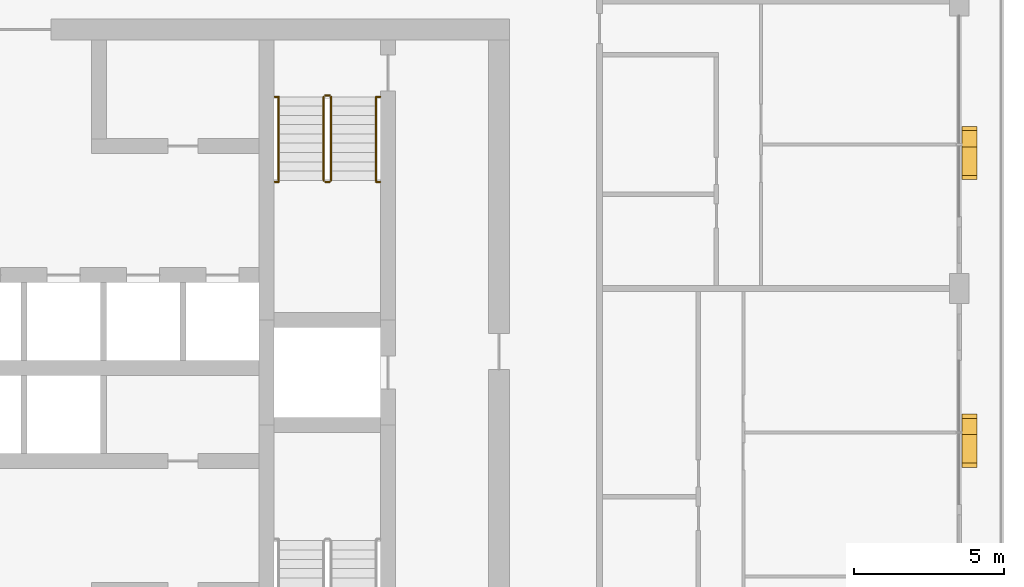
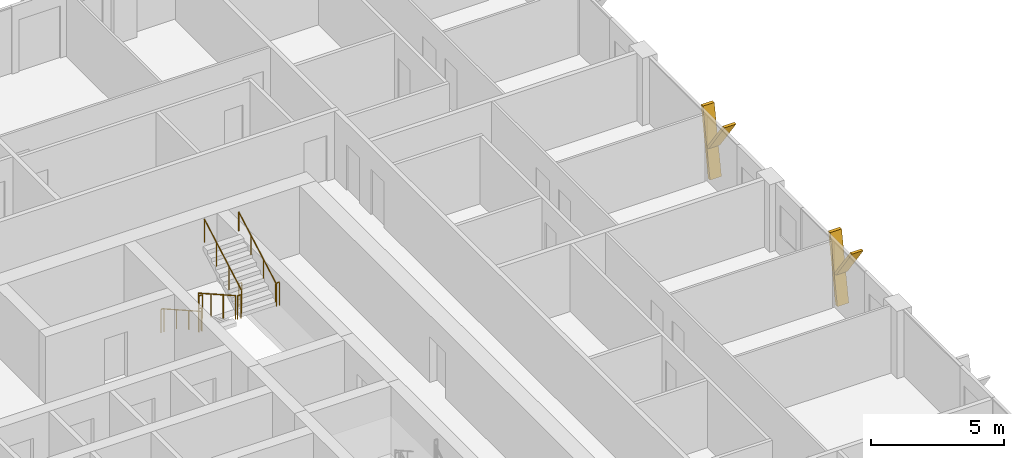
# One storey, part 21 of 22: 10 railings, 4 shading devices.
"""IFC4 building model written with IfcOpenShell, lengths in metres."""

from ifc_helpers import new_model, si_unit, direction, frame, origin, origin_2d, place, context, subcontext, project, spatial, polyline, circle, outline, extrude, material, type_object, element, save


model = new_model("IFC4")

# Units and contexts
model_context = context("Model", 3, precision=1e-05, world=origin(), true_north=direction((0.0, 1.0)))
body_context = subcontext(model_context, "Body", "Model", "MODEL_VIEW")
ifc_project = project(units=[si_unit("LENGTHUNIT", "METRE"), si_unit("AREAUNIT", "SQUARE_METRE"), si_unit("VOLUMEUNIT", "CUBIC_METRE"), si_unit("PLANEANGLEUNIT", "RADIAN"), si_unit("MASSUNIT", "GRAM", prefix="KILO")], contexts=[model_context])

# Site, building, storey
site_placement = place(None, origin())
site = spatial("IfcSite", under=ifc_project, at=site_placement, CompositionType="ELEMENT")
building_placement = place(site_placement, origin())
building = spatial("IfcBuilding", under=site, at=building_placement, Name="Madar Terraces", CompositionType="ELEMENT")
storey_placement = place(building_placement, frame((0.0, 0.0, 229.800048828125)))
storey = spatial("IfcBuildingStorey", under=building, at=storey_placement, Name="L60", CompositionType="ELEMENT", Elevation=229.800048828125)

# Shading devices
ifc_material_1 = material(Name="Aluminium, black anodised", Category="aluminium")
shading_device_type = type_object("IfcShadingDeviceType", Name="Facade fin blade 140 x 500", PredefinedType="USERDEFINED", material=ifc_material_1)
shading_device_1_placement = place(storey_placement, frame((62.75, 23.929931640625, 0.0), z_axis=(0.0, 0.0, 1.0), x_axis=(0.0, 1.0, 0.0)))
element("IfcShadingDevice", 1, at=shading_device_1_placement, inside=storey, type_object=shading_device_type, Name="FIN L60 E2", ObjectType="FIN", PredefinedType="USERDEFINED", context=body_context, shape_type="SweptSolid", body=[
    extrude(outline(polyline([(0.0, 0.0), (0.14013671875, 0.0), (0.68310546875, 3.079833984375), (0.54296875, 3.079833984375), (0.0, 0.0)])), frame((0.0, 0.25, 0.0), z_axis=(0.0, -1.0, 0.0), x_axis=(1.0, 0.0, 0.0)), (0.0, 0.0, 1.0), 0.5),
])
shading_device_2_placement = place(storey_placement, frame((62.75, 24.034423828125, 1.385986328125), z_axis=(0.0, 0.0, 1.0), x_axis=(0.0, 1.0, 0.0)))
element("IfcShadingDevice", 2, at=shading_device_2_placement, inside=storey, type_object=shading_device_type, Name="FIN L60 E2 branch", ObjectType="FIN", PredefinedType="USERDEFINED", context=body_context, shape_type="SweptSolid", body=[
    extrude(outline(polyline([(0.0, 0.0), (0.139892578125, 0.0), (-1.061279296875, 1.69384765625), (-1.201416015625, 1.69384765625), (0.0, 0.0)])), frame((0.0, 0.25, 0.0), z_axis=(0.0, -1.0, 0.0), x_axis=(1.0, 0.0, 0.0)), (0.0, 0.0, 1.0), 0.5),
])
shading_device_3_placement = place(storey_placement, frame((62.75, 33.530029296875, 0.0), z_axis=(0.0, 0.0, 1.0), x_axis=(0.0, 1.0, 0.0)))
element("IfcShadingDevice", 3, at=shading_device_3_placement, inside=storey, type_object=shading_device_type, Name="FIN L60 E3", ObjectType="FIN", PredefinedType="USERDEFINED", context=body_context, shape_type="SweptSolid", body=[
    extrude(outline(polyline([(0.0, 0.0), (0.139892578125, 0.0), (0.68310546875, 3.079833984375), (0.54296875, 3.079833984375), (0.0, 0.0)])), frame((0.0, 0.25, 0.0), z_axis=(0.0, -1.0, 0.0), x_axis=(1.0, 0.0, 0.0)), (0.0, 0.0, 1.0), 0.5),
])
shading_device_4_placement = place(storey_placement, frame((62.75, 33.63427734375, 1.385986328125), z_axis=(0.0, 0.0, 1.0), x_axis=(0.0, 1.0, 0.0)))
element("IfcShadingDevice", 4, at=shading_device_4_placement, inside=storey, type_object=shading_device_type, Name="FIN L60 E3 branch", ObjectType="FIN", PredefinedType="USERDEFINED", context=body_context, shape_type="SweptSolid", body=[
    extrude(outline(polyline([(0.0, 0.0), (0.14013671875, 0.0), (-1.061279296875, 1.69384765625), (-1.201416015625, 1.69384765625), (0.0, 0.0)])), frame((0.0, 0.25, 0.0), z_axis=(0.0, -1.0, 0.0), x_axis=(1.0, 0.0, 0.0)), (0.0, 0.0, 1.0), 0.5),
])

# Railings
ifc_material_2 = material(Name="Stainless steel railing", Category="steel")
railing_type_1 = type_object("IfcRailingType", Name="Stair guard 1100", PredefinedType="GUARDRAIL", material=ifc_material_2)
railing_1_placement = place(storey_placement, frame((41.199951171875, 35.199951171875, 0.175048828125)))
element("IfcRailing", 5, at=railing_1_placement, inside=storey, type_object=railing_type_1, Name="L60 ST2 stair guard 1", PredefinedType="GUARDRAIL", context=body_context, shape_type="SweptSolid", body=[
    extrude(circle(Radius=0.02392578125, at=origin_2d()), frame((0.0, 0.0, 1.076171875), z_axis=(0.0, -0.870833779661, 0.491577591232), x_axis=(1.0, 0.0, 0.0)), (0.0, 0.0, 1.0), 3.203857421875),
    extrude(circle(Radius=0.02099609375, at=origin_2d()), origin(), (0.0, 0.0, 1.0), 1.052001953125),
    extrude(circle(Radius=0.02099609375, at=origin_2d()), frame((0.0, -0.929931640625, 0.52490234375)), (0.0, 0.0, 1.0), 1.052001953125),
    extrude(circle(Radius=0.02099609375, at=origin_2d()), frame((0.0, -1.860107421875, 1.050048828125)), (0.0, 0.0, 1.0), 1.052001953125),
    extrude(circle(Radius=0.02099609375, at=origin_2d()), frame((0.0, -2.7900390625, 1.574951171875)), (0.0, 0.0, 1.0), 1.052001953125),
])
railing_2_placement = place(storey_placement, frame((41.25, 32.360107421875, 1.75)))
element("IfcRailing", 6, at=railing_2_placement, inside=storey, type_object=railing_type_1, Name="L60 ST2 stair guard 2", PredefinedType="GUARDRAIL", context=body_context, shape_type="SweptSolid", body=[
    extrude(circle(Radius=0.02392578125, at=origin_2d()), frame((0.0, 0.0, 1.076171875), z_axis=(1.0, 0.0, 0.0), x_axis=(0.0, 1.0, 0.0)), (0.0, 0.0, 1.0), 0.14990234375),
    extrude(circle(Radius=0.02099609375, at=origin_2d()), origin(), (0.0, 0.0, 1.0), 1.052001953125),
    extrude(circle(Radius=0.02099609375, at=origin_2d()), frame((0.14990234375, 0.0, 0.0)), (0.0, 0.0, 1.0), 1.052001953125),
])
railing_3_placement = place(storey_placement, frame((41.449951171875, 32.409912109375, 1.925048828125)))
element("IfcRailing", 7, at=railing_3_placement, inside=storey, type_object=railing_type_1, Name="L60 ST2 stair guard 3", PredefinedType="GUARDRAIL", context=body_context, shape_type="SweptSolid", body=[
    extrude(circle(Radius=0.02392578125, at=origin_2d()), frame((0.0, 0.0, 1.076171875), z_axis=(0.0, 0.870833779661, 0.491577591232), x_axis=(-1.0, 0.0, 0.0)), (0.0, 0.0, 1.0), 3.203857421875),
    extrude(circle(Radius=0.02099609375, at=origin_2d()), origin(), (0.0, 0.0, 1.0), 1.052001953125),
    extrude(circle(Radius=0.02099609375, at=origin_2d()), frame((0.0, 0.929931640625, 0.52490234375)), (0.0, 0.0, 1.0), 1.052001953125),
    extrude(circle(Radius=0.02099609375, at=origin_2d()), frame((0.0, 1.860107421875, 1.050048828125)), (0.0, 0.0, 1.0), 1.052001953125),
    extrude(circle(Radius=0.02099609375, at=origin_2d()), frame((0.0, 2.7900390625, 1.574951171875)), (0.0, 0.0, 1.0), 1.052001953125),
])
railing_4_placement = place(storey_placement, frame((41.25, 35.25, 0.0)))
element("IfcRailing", 8, at=railing_4_placement, inside=storey, type_object=railing_type_1, Name="L60 ST2 stair guard 4", PredefinedType="GUARDRAIL", context=body_context, shape_type="SweptSolid", body=[
    extrude(circle(Radius=0.02392578125, at=origin_2d()), frame((0.0, 0.0, 1.076171875), z_axis=(1.0, 0.0, 0.0), x_axis=(0.0, 1.0, 0.0)), (0.0, 0.0, 1.0), 0.14990234375),
    extrude(circle(Radius=0.02099609375, at=origin_2d()), origin(), (0.0, 0.0, 1.0), 1.052001953125),
    extrude(circle(Radius=0.02099609375, at=origin_2d()), frame((0.14990234375, 0.0, 0.0)), (0.0, 0.0, 1.0), 1.052001953125),
])
railing_5_placement = place(storey_placement, frame((39.570068359375, 32.360107421875, 1.75)))
element("IfcRailing", 9, at=railing_5_placement, inside=storey, type_object=railing_type_1, Name="L60 stair guard seat 1", PredefinedType="GUARDRAIL", context=body_context, shape_type="SweptSolid", body=[
    extrude(circle(Radius=0.02392578125, at=origin_2d()), frame((0.0, 0.0, 1.076171875), z_axis=(1.0, 0.0, 0.0), x_axis=(0.0, 1.0, 0.0)), (0.0, 0.0, 1.0), 0.1298828125),
    extrude(circle(Radius=0.02099609375, at=origin_2d()), origin(), (0.0, 0.0, 1.0), 1.052001953125),
    extrude(circle(Radius=0.02099609375, at=origin_2d()), frame((0.1298828125, 0.0, 0.0)), (0.0, 0.0, 1.0), 1.052001953125),
])
railing_6_placement = place(storey_placement, frame((42.949951171875, 32.360107421875, 1.75)))
element("IfcRailing", 10, at=railing_6_placement, inside=storey, type_object=railing_type_1, Name="L60 stair guard seat 2", PredefinedType="GUARDRAIL", context=body_context, shape_type="SweptSolid", body=[
    extrude(circle(Radius=0.02392578125, at=origin_2d()), frame((0.0, 0.0, 1.076171875), z_axis=(1.0, 0.0, 0.0), x_axis=(0.0, 1.0, 0.0)), (0.0, 0.0, 1.0), 0.130126953125),
    extrude(circle(Radius=0.02099609375, at=origin_2d()), origin(), (0.0, 0.0, 1.0), 1.052001953125),
    extrude(circle(Radius=0.02099609375, at=origin_2d()), frame((0.130126953125, 0.0, 0.0)), (0.0, 0.0, 1.0), 1.052001953125),
])
railing_7_placement = place(storey_placement, frame((39.570068359375, 35.199951171875, 0.0)))
element("IfcRailing", 11, at=railing_7_placement, inside=storey, type_object=railing_type_1, Name="L60 stair guard floor 1", PredefinedType="GUARDRAIL", context=body_context, shape_type="SweptSolid", body=[
    extrude(circle(Radius=0.02392578125, at=origin_2d()), frame((0.0, 0.0, 1.076171875), z_axis=(1.0, 0.0, 0.0), x_axis=(0.0, 1.0, 0.0)), (0.0, 0.0, 1.0), 0.1298828125),
    extrude(circle(Radius=0.02099609375, at=origin_2d()), origin(), (0.0, 0.0, 1.0), 1.052001953125),
    extrude(circle(Radius=0.02099609375, at=origin_2d()), frame((0.1298828125, 0.0, 0.0)), (0.0, 0.0, 1.0), 1.052001953125),
])
railing_8_placement = place(storey_placement, frame((42.949951171875, 35.199951171875, 0.0)))
element("IfcRailing", 12, at=railing_8_placement, inside=storey, type_object=railing_type_1, Name="L60 stair guard floor 2", PredefinedType="GUARDRAIL", context=body_context, shape_type="SweptSolid", body=[
    extrude(circle(Radius=0.02392578125, at=origin_2d()), frame((0.0, 0.0, 1.076171875), z_axis=(1.0, 0.0, 0.0), x_axis=(0.0, 1.0, 0.0)), (0.0, 0.0, 1.0), 0.130126953125),
    extrude(circle(Radius=0.02099609375, at=origin_2d()), origin(), (0.0, 0.0, 1.0), 1.052001953125),
    extrude(circle(Radius=0.02099609375, at=origin_2d()), frame((0.130126953125, 0.0, 0.0)), (0.0, 0.0, 1.0), 1.052001953125),
])
ifc_material_3 = material(Name="Stainless steel railing", Category="steel")
railing_type_2 = type_object("IfcRailingType", Name="Stair handrail 900", PredefinedType="HANDRAIL", material=ifc_material_3)
railing_9_placement = place(storey_placement, frame((39.699951171875, 35.199951171875, 0.175048828125)))
element("IfcRailing", 13, at=railing_9_placement, inside=storey, type_object=railing_type_2, Name="L60 ST2 stair handrail 1", PredefinedType="HANDRAIL", context=body_context, shape_type="SweptSolid", body=[
    extrude(circle(Radius=0.02392578125, at=origin_2d()), frame((0.0, 0.0, 0.8759765625), z_axis=(0.0, -0.870833779661, 0.491577591232), x_axis=(1.0, 0.0, 0.0)), (0.0, 0.0, 1.0), 3.203857421875),
    extrude(circle(Radius=0.02099609375, at=origin_2d()), origin(), (0.0, 0.0, 1.0), 0.851806640625),
    extrude(circle(Radius=0.02099609375, at=origin_2d()), frame((0.0, -0.929931640625, 0.52490234375)), (0.0, 0.0, 1.0), 0.851806640625),
    extrude(circle(Radius=0.02099609375, at=origin_2d()), frame((0.0, -1.860107421875, 1.050048828125)), (0.0, 0.0, 1.0), 0.851806640625),
    extrude(circle(Radius=0.02099609375, at=origin_2d()), frame((0.0, -2.7900390625, 1.574951171875)), (0.0, 0.0, 1.0), 0.851806640625),
])
railing_10_placement = place(storey_placement, frame((42.949951171875, 32.409912109375, 1.925048828125)))
element("IfcRailing", 14, at=railing_10_placement, inside=storey, type_object=railing_type_2, Name="L60 ST2 stair handrail 2", PredefinedType="HANDRAIL", context=body_context, shape_type="SweptSolid", body=[
    extrude(circle(Radius=0.02392578125, at=origin_2d()), frame((0.0, 0.0, 0.8759765625), z_axis=(0.0, 0.870833779661, 0.491577591232), x_axis=(-1.0, 0.0, 0.0)), (0.0, 0.0, 1.0), 3.203857421875),
    extrude(circle(Radius=0.02099609375, at=origin_2d()), origin(), (0.0, 0.0, 1.0), 0.851806640625),
    extrude(circle(Radius=0.02099609375, at=origin_2d()), frame((0.0, 0.929931640625, 0.52490234375)), (0.0, 0.0, 1.0), 0.851806640625),
    extrude(circle(Radius=0.02099609375, at=origin_2d()), frame((0.0, 1.860107421875, 1.050048828125)), (0.0, 0.0, 1.0), 0.851806640625),
    extrude(circle(Radius=0.02099609375, at=origin_2d()), frame((0.0, 2.7900390625, 1.574951171875)), (0.0, 0.0, 1.0), 0.851806640625),
])

save(model, "model.ifc")
